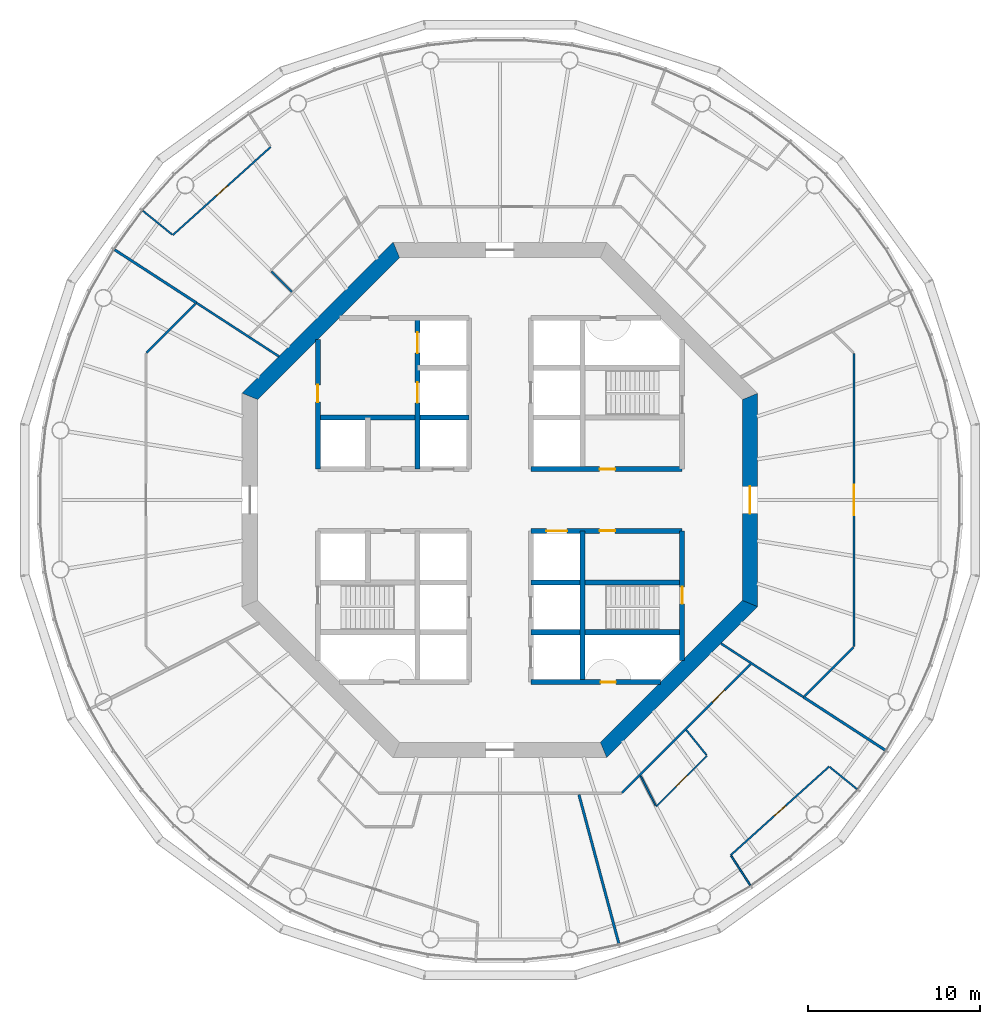
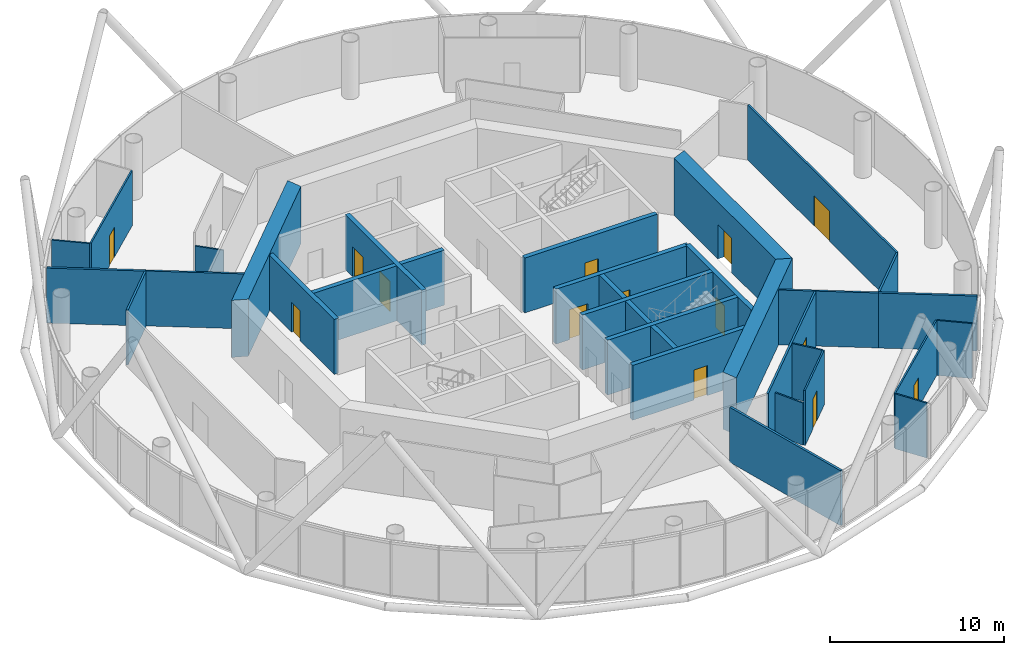
# One storey, part 4 of 13: 31 walls, 14 doors, 14 openings.
"""IFC4 building model written with IfcOpenShell, lengths in metres."""

from ifc_helpers import new_model, si_unit, direction, frame, frame_2d, origin, place, context, subcontext, project, spatial, polyline, rectangle, outline, extrude, material, layer, layer_set, type_object, element, fill, save


model = new_model("IFC4")

# Units and contexts
model_context = context("Model", 3, precision=1e-05, world=origin(), true_north=direction((0.0, 1.0)))
body_context = subcontext(model_context, "Body", "Model", "MODEL_VIEW")
ifc_project = project(units=[si_unit("LENGTHUNIT", "METRE"), si_unit("AREAUNIT", "SQUARE_METRE"), si_unit("VOLUMEUNIT", "CUBIC_METRE"), si_unit("PLANEANGLEUNIT", "RADIAN"), si_unit("MASSUNIT", "GRAM", prefix="KILO")], contexts=[model_context])

# Site, building, storey
site_placement = place(None, origin())
site = spatial("IfcSite", under=ifc_project, at=site_placement, CompositionType="ELEMENT")
building_placement = place(site_placement, origin())
building = spatial("IfcBuilding", under=site, at=building_placement, Name="Entoto Ring Tower", CompositionType="ELEMENT")
storey_placement = place(building_placement, frame((0.0, 0.0, 218.0)))
storey = spatial("IfcBuildingStorey", under=building, at=storey_placement, Name="L50", CompositionType="ELEMENT", Elevation=218.0)

# Wall, opening, door
ifc_material_1 = material(Name="Concrete C40/50", Category="concrete")
ifc_layer_1 = layer(ifc_material_1, 0.300048828125)
ifc_layer_set_1 = layer_set([ifc_layer_1], Name="Concrete C40/50")
wall_type_1 = type_object("IfcWallType", Name="Core enclosure wall 300 mm reinforced concrete", PredefinedType="SOLIDWALL", material=ifc_layer_set_1)
wall_1_placement = place(storey_placement, frame((100.60009765625, 70.65966796875, 0.0), z_axis=(0.0, 0.0, 1.0), x_axis=(0.0, 1.0, 0.0)))
wall_1 = element("IfcWall", 1, at=wall_1_placement, inside=storey, type_object=wall_type_1, Name="wall-L50-001", PredefinedType="SOLIDWALL", context=body_context, shape_type="SweptSolid", body=[
    extrude(rectangle(XDim=7.540283203125, YDim=0.300048828125, at=frame_2d((3.77001953125, 0.0))), origin(), (0.0, 0.0, 1.0), 3.85009765625),
])
opening_1_placement = place(wall_1_placement, frame((3.290283203125, 0.0, 0.0)))
opening_1 = element("IfcOpeningElement", 2, at=opening_1_placement, cuts=wall_1, Name="Opening K-17", PredefinedType="OPENING", context=body_context, shape_type="SweptSolid", body=[
    extrude(rectangle(XDim=1.0, YDim=2.10009765625, at=frame_2d((0.5, 1.050048828125))), frame((0.0, 0.16015625, 0.0), z_axis=(0.0, -1.0, 0.0), x_axis=(1.0, 0.0, 0.0)), (0.0, 0.0, 1.0), 0.320068359375),
])
ifc_material_2 = material(Name="Steel door leaf, fire rated", Category="steel")
ifc_layer_2 = layer(ifc_material_2, 0.050048828125)
ifc_layer_set_2 = layer_set([ifc_layer_2], Name="Steel door leaf, fire rated")
door_type_1 = type_object("IfcDoorType", Name="Fire door FD60 1000 x 2100 single leaf", OperationType="NOTDEFINED", PredefinedType="DOOR", material=ifc_layer_set_2)
door_1_placement = place(opening_1_placement, origin())
door_1 = element("IfcDoor", 3, at=door_1_placement, inside=storey, type_object=door_type_1, Name="Door K-17", OperationType="SINGLE_SWING_RIGHT", OverallHeight=2.10009765625, OverallWidth=1.0, PredefinedType="DOOR", context=body_context, shape_type="SweptSolid", body=[
    extrude(rectangle(XDim=1.0, YDim=2.10009765625, at=frame_2d((0.5, 1.050048828125))), frame((0.0, 0.02490234375, 0.0), z_axis=(0.0, -1.0, 0.0), x_axis=(1.0, 0.0, 0.0)), (0.0, 0.0, 1.0), 0.050048828125),
])
fill(opening_1, door_1)

# Wall
wall_2_placement = place(storey_placement, frame((94.800048828125, 69.39990234375, 0.0), z_axis=(0.0, 0.0, 1.0), x_axis=(0.0, 1.0, 0.0)))
element("IfcWall", 4, at=wall_2_placement, inside=storey, type_object=wall_type_1, Name="wall-L50-003", PredefinedType="SOLIDWALL", context=body_context, shape_type="SweptSolid", body=[
    extrude(rectangle(XDim=8.800048828125, YDim=0.300048828125, at=frame_2d((4.39990234375, 0.0))), origin(), (0.0, 0.0, 1.0), 3.85009765625),
])

# Wall, openings, doors
wall_3_placement = place(storey_placement, frame((85.199951171875, 81.800048828125, 0.0), z_axis=(0.0, 0.0, 1.0), x_axis=(0.0, 1.0, 0.0)))
wall_3 = element("IfcWall", 5, at=wall_3_placement, inside=storey, type_object=wall_type_1, Name="wall-L50-010", PredefinedType="SOLIDWALL", context=body_context, shape_type="SweptSolid", body=[
    extrude(rectangle(XDim=8.800048828125, YDim=0.300048828125, at=frame_2d((4.39990234375, 0.0))), origin(), (0.0, 0.0, 1.0), 3.85009765625),
])
opening_2_placement = place(wall_3_placement, frame((3.85009765625, 0.0, 0.0)))
opening_2 = element("IfcOpeningElement", 6, at=opening_2_placement, cuts=wall_3, Name="Opening LD", PredefinedType="OPENING", context=body_context, shape_type="SweptSolid", body=[
    extrude(rectangle(XDim=1.199951171875, YDim=2.10009765625, at=frame_2d((0.60009765625, 1.050048828125))), frame((0.0, 0.16015625, 0.0), z_axis=(0.0, -1.0, 0.0), x_axis=(1.0, 0.0, 0.0)), (0.0, 0.0, 1.0), 0.320068359375),
])
opening_3_placement = place(wall_3_placement, frame((6.75, 0.0, 0.0)))
opening_3 = element("IfcOpeningElement", 7, at=opening_3_placement, cuts=wall_3, Name="Opening LD", PredefinedType="OPENING", context=body_context, shape_type="SweptSolid", body=[
    extrude(rectangle(XDim=1.199951171875, YDim=2.10009765625, at=frame_2d((0.60009765625, 1.050048828125))), frame((0.0, 0.16015625, 0.0), z_axis=(0.0, -1.0, 0.0), x_axis=(1.0, 0.0, 0.0)), (0.0, 0.0, 1.0), 0.320068359375),
])
ifc_material_3 = material(Name="Steel and glass door leaf", Category="steel")
ifc_layer_3 = layer(ifc_material_3, 0.050048828125)
ifc_layer_set_3 = layer_set([ifc_layer_3], Name="Steel and glass door leaf")
door_type_2 = type_object("IfcDoorType", Name="Landing door 1200 x 2100 sliding", OperationType="DOUBLE_DOOR_SLIDING", PredefinedType="DOOR", material=ifc_layer_set_3)
door_2_placement = place(opening_2_placement, origin())
door_2 = element("IfcDoor", 8, at=door_2_placement, inside=storey, type_object=door_type_2, Name="Landing door FF1", OperationType="SLIDING_TO_RIGHT", OverallHeight=2.10009765625, OverallWidth=1.199951171875, PredefinedType="DOOR", context=body_context, shape_type="SweptSolid", body=[
    extrude(rectangle(XDim=1.199951171875, YDim=2.10009765625, at=frame_2d((0.60009765625, 1.050048828125))), frame((0.0, 0.02490234375, 0.0), z_axis=(0.0, -1.0, 0.0), x_axis=(1.0, 0.0, 0.0)), (0.0, 0.0, 1.0), 0.050048828125),
])
fill(opening_2, door_2)
door_3_placement = place(opening_3_placement, origin())
door_3 = element("IfcDoor", 9, at=door_3_placement, inside=storey, type_object=door_type_2, Name="Landing door FF2", OperationType="SLIDING_TO_RIGHT", OverallHeight=2.10009765625, OverallWidth=1.199951171875, PredefinedType="DOOR", context=body_context, shape_type="SweptSolid", body=[
    extrude(rectangle(XDim=1.199951171875, YDim=2.10009765625, at=frame_2d((0.60009765625, 1.050048828125))), frame((0.0, 0.02490234375, 0.0), z_axis=(0.0, -1.0, 0.0), x_axis=(1.0, 0.0, 0.0)), (0.0, 0.0, 1.0), 0.050048828125),
])
fill(opening_3, door_3)

# Wall, opening, door
wall_4_placement = place(storey_placement, frame((79.39990234375, 81.800048828125, 0.0), z_axis=(0.0, 0.0, 1.0), x_axis=(0.0, 1.0, 0.0)))
wall_4 = element("IfcWall", 10, at=wall_4_placement, inside=storey, type_object=wall_type_1, Name="wall-L50-014", PredefinedType="SOLIDWALL", context=body_context, shape_type="SweptSolid", body=[
    extrude(rectangle(XDim=7.540283203125, YDim=0.300048828125, at=frame_2d((3.77001953125, 0.0))), origin(), (0.0, 0.0, 1.0), 3.85009765625),
])
opening_4_placement = place(wall_4_placement, frame((3.89990234375, 0.0, 0.0)))
opening_4 = element("IfcOpeningElement", 11, at=opening_4_placement, cuts=wall_4, Name="Opening K-67", PredefinedType="OPENING", context=body_context, shape_type="SweptSolid", body=[
    extrude(rectangle(XDim=1.0, YDim=2.10009765625, at=frame_2d((0.5, 1.050048828125))), frame((0.0, 0.16015625, 0.0), z_axis=(0.0, -1.0, 0.0), x_axis=(1.0, 0.0, 0.0)), (0.0, 0.0, 1.0), 0.320068359375),
])
door_4_placement = place(opening_4_placement, frame((1.0, 0.0, 0.0), z_axis=(0.0, 0.0, 1.0), x_axis=(-1.0, 0.0, 0.0)))
door_4 = element("IfcDoor", 12, at=door_4_placement, inside=storey, type_object=door_type_1, Name="Door K-67", OperationType="SINGLE_SWING_RIGHT", OverallHeight=2.10009765625, OverallWidth=1.0, PredefinedType="DOOR", context=body_context, shape_type="SweptSolid", body=[
    extrude(rectangle(XDim=1.0, YDim=2.10009765625, at=frame_2d((0.5, 1.050048828125))), frame((0.0, 0.02490234375, 0.0), z_axis=(0.0, -1.0, 0.0), x_axis=(1.0, 0.0, 0.0)), (0.0, 0.0, 1.0), 0.050048828125),
])
fill(opening_4, door_4)

wall_5_placement = place(storey_placement, frame((91.800048828125, 69.39990234375, 0.0), z_axis=(0.0, 0.0, 1.0), x_axis=(1.0, 0.0, 0.0)))
wall_5 = element("IfcWall", 13, at=wall_5_placement, inside=storey, type_object=wall_type_1, Name="wall-L50-016", PredefinedType="SOLIDWALL", context=body_context, shape_type="SweptSolid", body=[
    extrude(rectangle(XDim=7.540283203125, YDim=0.300048828125, at=frame_2d((3.77001953125, 0.0))), origin(), (0.0, 0.0, 1.0), 3.85009765625),
])
opening_5_placement = place(wall_5_placement, frame((4.050048828125, 0.0, 0.0)))
opening_5 = element("IfcOpeningElement", 14, at=opening_5_placement, cuts=wall_5, Name="Opening K-20", PredefinedType="OPENING", context=body_context, shape_type="SweptSolid", body=[
    extrude(rectangle(XDim=0.89990234375, YDim=2.10009765625, at=frame_2d((0.449951171875, 1.050048828125))), frame((0.0, 0.16015625, 0.0), z_axis=(0.0, -1.0, 0.0), x_axis=(1.0, 0.0, 0.0)), (0.0, 0.0, 1.0), 0.320068359375),
])
ifc_material_4 = material(Name="Steel door leaf, fire rated", Category="steel")
ifc_layer_4 = layer(ifc_material_4, 0.050048828125)
ifc_layer_set_4 = layer_set([ifc_layer_4], Name="Steel door leaf, fire rated")
door_type_3 = type_object("IfcDoorType", Name="Riser door FD60 900 x 2100 single leaf", OperationType="NOTDEFINED", PredefinedType="DOOR", material=ifc_layer_set_4)
door_5_placement = place(opening_5_placement, origin())
door_5 = element("IfcDoor", 15, at=door_5_placement, inside=storey, type_object=door_type_3, Name="Door K-20", OperationType="SINGLE_SWING_LEFT", OverallHeight=2.10009765625, OverallWidth=0.89990234375, PredefinedType="DOOR", context=body_context, shape_type="SweptSolid", body=[
    extrude(rectangle(XDim=0.89990234375, YDim=2.10009765625, at=frame_2d((0.449951171875, 1.050048828125))), frame((0.0, 0.02490234375, 0.0), z_axis=(0.0, -1.0, 0.0), x_axis=(1.0, 0.0, 0.0)), (0.0, 0.0, 1.0), 0.050048828125),
])
fill(opening_5, door_5)

# Walls
for number, where, z_axis, x_axis, name in (
    (16, (91.800048828125, 72.300048828125, 0.0), (0.0, 0.0, 1.0), (1.0, 0.0, 0.0), "wall-L50-018"),
    (17, (91.800048828125, 75.199951171875, 0.0), (0.0, 0.0, 1.0), (1.0, 0.0, 0.0), "wall-L50-020"),
):
    element("IfcWall", number, at=place(storey_placement, frame(where, z_axis=z_axis, x_axis=x_axis)), inside=storey, type_object=wall_type_1, Name=name, PredefinedType="SOLIDWALL", context=body_context, shape_type="SweptSolid", body=[
        extrude(rectangle(XDim=8.800048828125, YDim=0.300048828125, at=frame_2d((4.39990234375, 0.0))), origin(), (0.0, 0.0, 1.0), 3.85009765625),
    ])

# Wall, openings, doors
wall_6_placement = place(storey_placement, frame((91.800048828125, 78.199951171875, 0.0), z_axis=(0.0, 0.0, 1.0), x_axis=(1.0, 0.0, 0.0)))
wall_6 = element("IfcWall", 18, at=wall_6_placement, inside=storey, type_object=wall_type_1, Name="wall-L50-022", PredefinedType="SOLIDWALL", context=body_context, shape_type="SweptSolid", body=[
    extrude(rectangle(XDim=8.800048828125, YDim=0.300048828125, at=frame_2d((4.39990234375, 0.0))), origin(), (0.0, 0.0, 1.0), 3.85009765625),
])
opening_6_placement = place(wall_6_placement, frame((0.89990234375, 0.0, 0.0)))
opening_6 = element("IfcOpeningElement", 19, at=opening_6_placement, cuts=wall_6, Name="Opening LD", PredefinedType="OPENING", context=body_context, shape_type="SweptSolid", body=[
    extrude(rectangle(XDim=1.199951171875, YDim=2.10009765625, at=frame_2d((0.60009765625, 1.050048828125))), frame((0.0, 0.16015625, 0.0), z_axis=(0.0, -1.0, 0.0), x_axis=(1.0, 0.0, 0.0)), (0.0, 0.0, 1.0), 0.320068359375),
])
opening_7_placement = place(wall_6_placement, frame((4.0, 0.0, 0.0)))
opening_7 = element("IfcOpeningElement", 20, at=opening_7_placement, cuts=wall_6, Name="Opening K-12", PredefinedType="OPENING", context=body_context, shape_type="SweptSolid", body=[
    extrude(rectangle(XDim=0.89990234375, YDim=2.10009765625, at=frame_2d((0.449951171875, 1.050048828125))), frame((0.0, 0.16015625, 0.0), z_axis=(0.0, -1.0, 0.0), x_axis=(1.0, 0.0, 0.0)), (0.0, 0.0, 1.0), 0.320068359375),
])
ifc_material_5 = material(Name="Steel door leaf, fire rated", Category="steel")
ifc_layer_5 = layer(ifc_material_5, 0.050048828125)
ifc_layer_set_5 = layer_set([ifc_layer_5], Name="Steel door leaf, fire rated")
door_type_4 = type_object("IfcDoorType", Name="Core door 900 x 2100 single leaf", OperationType="NOTDEFINED", PredefinedType="DOOR", material=ifc_layer_set_5)
door_6_placement = place(opening_7_placement, frame((0.89990234375, 0.0, 0.0), z_axis=(0.0, 0.0, 1.0), x_axis=(-1.0, 0.0, 0.0)))
door_6 = element("IfcDoor", 21, at=door_6_placement, inside=storey, type_object=door_type_4, Name="Door K-12", OperationType="SINGLE_SWING_RIGHT", OverallHeight=2.10009765625, OverallWidth=0.89990234375, PredefinedType="DOOR", context=body_context, shape_type="SweptSolid", body=[
    extrude(rectangle(XDim=0.89990234375, YDim=2.10009765625, at=frame_2d((0.449951171875, 1.050048828125))), frame((0.0, 0.02490234375, 0.0), z_axis=(0.0, -1.0, 0.0), x_axis=(1.0, 0.0, 0.0)), (0.0, 0.0, 1.0), 0.050048828125),
])
fill(opening_7, door_6)
door_7_placement = place(opening_6_placement, origin())
door_7 = element("IfcDoor", 22, at=door_7_placement, inside=storey, type_object=door_type_2, Name="Landing door LB6-MR", OperationType="SLIDING_TO_LEFT", OverallHeight=2.10009765625, OverallWidth=1.199951171875, PredefinedType="DOOR", context=body_context, shape_type="SweptSolid", body=[
    extrude(rectangle(XDim=1.199951171875, YDim=2.10009765625, at=frame_2d((0.60009765625, 1.050048828125))), frame((0.0, 0.02490234375, 0.0), z_axis=(0.0, -1.0, 0.0), x_axis=(1.0, 0.0, 0.0)), (0.0, 0.0, 1.0), 0.050048828125),
])
fill(opening_6, door_7)

# Wall, opening, door
wall_7_placement = place(storey_placement, frame((91.800048828125, 81.800048828125, 0.0), z_axis=(0.0, 0.0, 1.0), x_axis=(1.0, 0.0, 0.0)))
wall_7 = element("IfcWall", 23, at=wall_7_placement, inside=storey, type_object=wall_type_1, Name="wall-L50-024", PredefinedType="SOLIDWALL", context=body_context, shape_type="SweptSolid", body=[
    extrude(rectangle(XDim=8.800048828125, YDim=0.300048828125, at=frame_2d((4.39990234375, 0.0))), origin(), (0.0, 0.0, 1.0), 3.85009765625),
])
opening_8_placement = place(wall_7_placement, frame((4.0, 0.0, 0.0)))
opening_8 = element("IfcOpeningElement", 24, at=opening_8_placement, cuts=wall_7, Name="Opening K-11", PredefinedType="OPENING", context=body_context, shape_type="SweptSolid", body=[
    extrude(rectangle(XDim=0.89990234375, YDim=2.10009765625, at=frame_2d((0.449951171875, 1.050048828125))), frame((0.0, 0.16015625, 0.0), z_axis=(0.0, -1.0, 0.0), x_axis=(1.0, 0.0, 0.0)), (0.0, 0.0, 1.0), 0.320068359375),
])
door_8_placement = place(opening_8_placement, origin())
door_8 = element("IfcDoor", 25, at=door_8_placement, inside=storey, type_object=door_type_4, Name="Door K-11", OperationType="SINGLE_SWING_LEFT", OverallHeight=2.10009765625, OverallWidth=0.89990234375, PredefinedType="DOOR", context=body_context, shape_type="SweptSolid", body=[
    extrude(rectangle(XDim=0.89990234375, YDim=2.10009765625, at=frame_2d((0.449951171875, 1.050048828125))), frame((0.0, 0.02490234375, 0.0), z_axis=(0.0, -1.0, 0.0), x_axis=(1.0, 0.0, 0.0)), (0.0, 0.0, 1.0), 0.050048828125),
])
fill(opening_8, door_8)

# Wall
wall_8_placement = place(storey_placement, frame((79.39990234375, 84.800048828125, 0.0), z_axis=(0.0, 0.0, 1.0), x_axis=(1.0, 0.0, 0.0)))
element("IfcWall", 26, at=wall_8_placement, inside=storey, type_object=wall_type_1, Name="wall-L50-025", PredefinedType="SOLIDWALL", context=body_context, shape_type="SweptSolid", body=[
    extrude(rectangle(XDim=8.800048828125, YDim=0.300048828125, at=frame_2d((4.39990234375, 0.0))), origin(), (0.0, 0.0, 1.0), 3.85009765625),
])

# Wall, opening, door
ifc_material_6 = material(Name="Concrete C50/60", Category="concrete")
ifc_layer_6 = layer(ifc_material_6, 0.89990234375)
ifc_layer_set_6 = layer_set([ifc_layer_6], Name="Concrete C50/60")
wall_type_2 = type_object("IfcWallType", Name="Core shear wall 900 mm reinforced concrete C50/60", PredefinedType="SHEAR", material=ifc_layer_set_6)
wall_9_placement = place(storey_placement, frame((104.550048828125, 73.97314453125, 0.0), z_axis=(0.0, 0.0, 1.0), x_axis=(0.0, 1.0, 0.0)))
wall_9 = element("IfcWall", 27, at=wall_9_placement, inside=storey, type_object=wall_type_2, Name="wall-L50-core-0", PredefinedType="SHEAR", context=body_context, shape_type="SweptSolid", body=[
    extrude(outline(polyline([(-0.186279296875, -0.449951171875), (12.239990234375, -0.449951171875), (11.867431640625, 0.449951171875), (0.186279296875, 0.449951171875), (-0.186279296875, -0.449951171875)])), origin(), (0.0, 0.0, 1.0), 4.0),
])
opening_9_placement = place(wall_9_placement, frame((5.226806640625, 0.0, 0.0)))
opening_9 = element("IfcOpeningElement", 28, at=opening_9_placement, cuts=wall_9, Name="Opening K-01", PredefinedType="OPENING", context=body_context, shape_type="SweptSolid", body=[
    extrude(rectangle(XDim=1.60009765625, YDim=2.39990234375, at=frame_2d((0.800048828125, 1.199951171875))), frame((0.0, 0.4599609375, 0.0), z_axis=(0.0, -1.0, 0.0), x_axis=(1.0, 0.0, 0.0)), (0.0, 0.0, 1.0), 0.919921875),
])
ifc_material_7 = material(Name="Steel door leaf, fire rated", Category="steel")
ifc_layer_7 = layer(ifc_material_7, 0.050048828125)
ifc_layer_set_7 = layer_set([ifc_layer_7], Name="Steel door leaf, fire rated")
door_type_5 = type_object("IfcDoorType", Name="Entrance door FD60 1600 x 2400 double leaf", OperationType="DOUBLE_DOOR_SINGLE_SWING", PredefinedType="DOOR", material=ifc_layer_set_7)
door_9_placement = place(opening_9_placement, origin())
door_9 = element("IfcDoor", 29, at=door_9_placement, inside=storey, type_object=door_type_5, Name="Entrance door K-01", OperationType="DOUBLE_DOOR_SINGLE_SWING", OverallHeight=2.39990234375, OverallWidth=1.60009765625, PredefinedType="DOOR", context=body_context, shape_type="SweptSolid", body=[
    extrude(rectangle(XDim=1.60009765625, YDim=2.39990234375, at=frame_2d((0.800048828125, 1.199951171875))), frame((0.0, 0.02490234375, 0.0), z_axis=(0.0, -1.0, 0.0), x_axis=(1.0, 0.0, 0.0)), (0.0, 0.0, 1.0), 0.050048828125),
])
fill(opening_9, door_9)

# Walls
for number, where, z_axis, x_axis, name in (
    (30, (83.97314453125, 94.550048828125, 0.0), (0.0, 0.0, 1.0), (-0.707106781187, -0.707106781187, 0.0), "wall-L50-core-3"),
    (31, (96.02685546875, 65.449951171875, 0.0), (0.0, 0.0, 1.0), (0.707106781187, 0.707106781187, 0.0), "wall-L50-core-7"),
):
    element("IfcWall", number, at=place(storey_placement, frame(where, z_axis=z_axis, x_axis=x_axis)), inside=storey, type_object=wall_type_2, Name=name, PredefinedType="SHEAR", context=body_context, shape_type="SweptSolid", body=[
        extrude(outline(polyline([(-0.186279296875, -0.449951171875), (12.239990234375, -0.449951171875), (11.867431640625, 0.449951171875), (0.186279296875, 0.449951171875), (-0.186279296875, -0.449951171875)])), origin(), (0.0, 0.0, 1.0), 4.0),
    ])

# Wall, opening, door
ifc_material_8 = material(Name="Fire-resisting plasterboard on steel studs", Category="steel")
ifc_layer_8 = layer(ifc_material_8, 0.125)
ifc_layer_set_8 = layer_set([ifc_layer_8], Name="Fire-resisting plasterboard on steel studs")
wall_type_3 = type_object("IfcWallType", Name="Corridor wall 125 mm one-hour plasterboard on steel studs", PredefinedType="PARTITIONING", material=ifc_layer_set_8)
wall_10_placement = place(storey_placement, frame((110.60009765625, 71.46728515625, 0.0), z_axis=(0.0, 0.0, 1.0), x_axis=(0.0, 1.0, 0.0)))
wall_10 = element("IfcWall", 32, at=wall_10_placement, inside=storey, type_object=wall_type_3, Name="partition-L50-002", PredefinedType="PARTITIONING", context=body_context, shape_type="SweptSolid", body=[
    extrude(rectangle(XDim=17.0654296875, YDim=0.125, at=frame_2d((8.53271484375, 0.0))), origin(), (0.0, 0.0, 1.0), 3.85009765625),
])
opening_10_placement = place(wall_10_placement, frame((7.6328125, 0.0, 0.0)))
opening_10 = element("IfcOpeningElement", 33, at=opening_10_placement, cuts=wall_10, Name="Opening A22-D01", PredefinedType="OPENING", context=body_context, shape_type="SweptSolid", body=[
    extrude(rectangle(XDim=1.800048828125, YDim=2.10009765625, at=frame_2d((0.89990234375, 1.050048828125))), frame((0.0, 0.072509765625, 0.0), z_axis=(0.0, -1.0, 0.0), x_axis=(1.0, 0.0, 0.0)), (0.0, 0.0, 1.0), 0.14501953125),
])
ifc_material_9 = material(Name="Fire-resisting timber door set", Category="wood")
door_type_6 = type_object("IfcDoorType", Name="Door 1800 x 2100 double leaf FD30S fire door", OperationType="DOUBLE_DOOR_SINGLE_SWING", PredefinedType="DOOR", material=ifc_material_9)
door_10_placement = place(opening_10_placement, frame((1.800048828125, 0.0, 0.0), z_axis=(0.0, 0.0, 1.0), x_axis=(-1.0, 0.0, 0.0)))
door_10 = element("IfcDoor", 34, at=door_10_placement, inside=storey, type_object=door_type_6, Name="Door A22-D01", OperationType="DOUBLE_DOOR_SINGLE_SWING", OverallHeight=2.10009765625, OverallWidth=1.800048828125, PredefinedType="DOOR", context=body_context, shape_type="SweptSolid", body=[
    extrude(rectangle(XDim=1.800048828125, YDim=2.10009765625, at=frame_2d((0.89990234375, 1.050048828125))), frame((0.0, 0.02490234375, 0.0), z_axis=(0.0, -1.0, 0.0), x_axis=(1.0, 0.0, 0.0)), (0.0, 0.0, 1.0), 0.050048828125),
])
fill(opening_10, door_10)

wall_11_placement = place(storey_placement, frame((97.0986328125, 62.968505859375, 0.0), z_axis=(0.0, 0.0, 1.0), x_axis=(0.707095235926, 0.707118326258, 0.0)))
wall_11 = element("IfcWall", 35, at=wall_11_placement, inside=storey, type_object=wall_type_3, Name="partition-L50-008", PredefinedType="PARTITIONING", context=body_context, shape_type="SweptSolid", body=[
    extrude(rectangle(XDim=10.5732421875, YDim=0.125, at=frame_2d((5.28662109375, 0.0))), origin(), (0.0, 0.0, 1.0), 3.85009765625),
])
opening_11_placement = place(wall_11_placement, frame((7.440185546875, 0.0, 0.0)))
opening_11 = element("IfcOpeningElement", 36, at=opening_11_placement, cuts=wall_11, Name="Opening A22-D14", PredefinedType="OPENING", context=body_context, shape_type="SweptSolid", body=[
    extrude(rectangle(XDim=1.0, YDim=2.10009765625, at=frame_2d((0.5, 1.050048828125))), frame((0.0, 0.072509765625, 0.0), z_axis=(0.0, -1.0, 0.0), x_axis=(1.0, 0.0, 0.0)), (0.0, 0.0, 1.0), 0.14501953125),
])
ifc_material_10 = material(Name="Fire-resisting timber door set", Category="wood")
door_type_7 = type_object("IfcDoorType", Name="Door 1000 x 2100 single leaf FD30S fire door", OperationType="NOTDEFINED", PredefinedType="DOOR", material=ifc_material_10)
door_11_placement = place(opening_11_placement, frame((1.0, 0.0, 0.0), z_axis=(0.0, 0.0, 1.0), x_axis=(-1.0, 0.0, 0.0)))
door_11 = element("IfcDoor", 37, at=door_11_placement, inside=storey, type_object=door_type_7, Name="Door A22-D14", OperationType="SINGLE_SWING_RIGHT", OverallHeight=2.10009765625, OverallWidth=1.0, PredefinedType="DOOR", context=body_context, shape_type="SweptSolid", body=[
    extrude(rectangle(XDim=1.0, YDim=2.10009765625, at=frame_2d((0.5, 1.050048828125))), frame((0.0, 0.02490234375, 0.0), z_axis=(0.0, -1.0, 0.0), x_axis=(1.0, 0.0, 0.0)), (0.0, 0.0, 1.0), 0.050048828125),
])
fill(opening_11, door_11)

# Walls
for number, where, z_axis, x_axis, name in (
    (38, (107.66259765625, 68.52978515625, 0.0), (0.0, 0.0, 1.0), (-0.838668603263, 0.544642060349, 0.0), "partition-L50-011"),
    (39, (77.138916015625, 88.35205078125, 0.0), (0.0, 0.0, 1.0), (-0.838668603263, 0.544642060349, 0.0), "partition-L50-012"),
):
    element("IfcWall", number, at=place(storey_placement, frame(where, z_axis=z_axis, x_axis=x_axis)), inside=storey, type_object=wall_type_3, Name=name, PredefinedType="PARTITIONING", context=body_context, shape_type="SweptSolid", body=[
        extrude(rectangle(XDim=5.72509765625, YDim=0.125, at=frame_2d((2.862548828125, 0.0))), origin(), (0.0, 0.0, 1.0), 3.85009765625),
    ])
for number, where, z_axis, x_axis, name in (
    (40, (69.43115234375, 88.56396484375, 0.0), (0.0, 0.0, 1.0), (0.707106781187, 0.707106781187, 0.0), "partition-L50-013"),
    (41, (107.72607421875, 68.59326171875, 0.0), (0.0, 0.0, 1.0), (0.707106781187, 0.707106781187, 0.0), "partition-L50-014"),
):
    element("IfcWall", number, at=place(storey_placement, frame(where, z_axis=z_axis, x_axis=x_axis)), inside=storey, type_object=wall_type_3, Name=name, PredefinedType="PARTITIONING", context=body_context, shape_type="SweptSolid", body=[
        extrude(rectangle(XDim=4.020263671875, YDim=0.125, at=frame_2d((2.01025390625, 0.0))), origin(), (0.0, 0.0, 1.0), 3.85009765625),
    ])

# Wall, opening, door
ifc_material_11 = material(Name="Plasterboard on steel studs", Category="steel")
ifc_layer_9 = layer(ifc_material_11, 0.10009765625)
ifc_layer_set_9 = layer_set([ifc_layer_9], Name="Plasterboard on steel studs")
wall_type_4 = type_object("IfcWallType", Name="Partition 100 mm plasterboard on steel studs", PredefinedType="PARTITIONING", material=ifc_layer_set_9)
wall_12_placement = place(storey_placement, frame((103.42529296875, 59.326904296875, 0.0), z_axis=(0.0, 0.0, 1.0), x_axis=(0.743144588405, 0.669130869654, 0.0)))
wall_12 = element("IfcWall", 42, at=wall_12_placement, inside=storey, type_object=wall_type_4, Name="partition-L50-025", PredefinedType="PARTITIONING", context=body_context, shape_type="SweptSolid", body=[
    extrude(rectangle(XDim=7.712158203125, YDim=0.10009765625, at=frame_2d((3.85595703125, 0.0))), origin(), (0.0, 0.0, 1.0), 3.85009765625),
])
opening_12_placement = place(wall_12_placement, frame((3.406005859375, 0.0, 0.0)))
opening_12 = element("IfcOpeningElement", 43, at=opening_12_placement, cuts=wall_12, Name="Opening A22-D16", PredefinedType="OPENING", context=body_context, shape_type="SweptSolid", body=[
    extrude(rectangle(XDim=0.89990234375, YDim=2.10009765625, at=frame_2d((0.449951171875, 1.050048828125))), frame((0.0, 0.06005859375, 0.0), z_axis=(0.0, -1.0, 0.0), x_axis=(1.0, 0.0, 0.0)), (0.0, 0.0, 1.0), 0.1201171875),
])
ifc_material_12 = material(Name="Veneered timber door leaf in timber frame", Category="wood")
door_type_8 = type_object("IfcDoorType", Name="Door 900 x 2100 single leaf timber veneer", OperationType="NOTDEFINED", PredefinedType="DOOR", material=ifc_material_12)
door_12_placement = place(opening_12_placement, frame((0.89990234375, 0.0, 0.0), z_axis=(0.0, 0.0, 1.0), x_axis=(-1.0, 0.0, 0.0)))
door_12 = element("IfcDoor", 44, at=door_12_placement, inside=storey, type_object=door_type_8, Name="Door A22-D16", OperationType="SINGLE_SWING_LEFT", OverallHeight=2.10009765625, OverallWidth=0.89990234375, PredefinedType="DOOR", context=body_context, shape_type="SweptSolid", body=[
    extrude(rectangle(XDim=0.89990234375, YDim=2.10009765625, at=frame_2d((0.449951171875, 1.050048828125))), frame((0.0, 0.02490234375, 0.0), z_axis=(0.0, -1.0, 0.0), x_axis=(1.0, 0.0, 0.0)), (0.0, 0.0, 1.0), 0.050048828125),
])
fill(opening_12, door_12)

wall_13_placement = place(storey_placement, frame((70.9599609375, 95.41845703125, 0.0), z_axis=(0.0, 0.0, 1.0), x_axis=(0.743148423314, 0.669126610534, 0.0)))
wall_13 = element("IfcWall", 45, at=wall_13_placement, inside=storey, type_object=wall_type_4, Name="partition-L50-026", PredefinedType="PARTITIONING", context=body_context, shape_type="SweptSolid", body=[
    extrude(rectangle(XDim=7.6650390625, YDim=0.10009765625, at=frame_2d((3.83251953125, 0.0))), origin(), (0.0, 0.0, 1.0), 3.85009765625),
])
opening_13_placement = place(wall_13_placement, frame((3.382568359375, 0.0, 0.0)))
opening_13 = element("IfcOpeningElement", 46, at=opening_13_placement, cuts=wall_13, Name="Opening A22-D09", PredefinedType="OPENING", context=body_context, shape_type="SweptSolid", body=[
    extrude(rectangle(XDim=0.89990234375, YDim=2.10009765625, at=frame_2d((0.449951171875, 1.050048828125))), frame((0.0, 0.06005859375, 0.0), z_axis=(0.0, -1.0, 0.0), x_axis=(1.0, 0.0, 0.0)), (0.0, 0.0, 1.0), 0.1201171875),
])
door_13_placement = place(opening_13_placement, origin())
door_13 = element("IfcDoor", 47, at=door_13_placement, inside=storey, type_object=door_type_8, Name="Door A22-D09", OperationType="SINGLE_SWING_LEFT", OverallHeight=2.10009765625, OverallWidth=0.89990234375, PredefinedType="DOOR", context=body_context, shape_type="SweptSolid", body=[
    extrude(rectangle(XDim=0.89990234375, YDim=2.10009765625, at=frame_2d((0.449951171875, 1.050048828125))), frame((0.0, 0.02490234375, 0.0), z_axis=(0.0, -1.0, 0.0), x_axis=(1.0, 0.0, 0.0)), (0.0, 0.0, 1.0), 0.050048828125),
])
fill(opening_13, door_13)

wall_14_placement = place(storey_placement, frame((99.090087890625, 62.159912109375, 0.0), z_axis=(0.0, 0.0, 1.0), x_axis=(0.707106781187, 0.707106781187, 0.0)))
wall_14 = element("IfcWall", 48, at=wall_14_placement, inside=storey, type_object=wall_type_4, Name="partition-L50-029", PredefinedType="PARTITIONING", context=body_context, shape_type="SweptSolid", body=[
    extrude(rectangle(XDim=4.185791015625, YDim=0.10009765625, at=frame_2d((2.0927734375, 0.0))), origin(), (0.0, 0.0, 1.0), 3.85009765625),
])
opening_14_placement = place(wall_14_placement, frame((1.642822265625, 0.0, 0.0)))
opening_14 = element("IfcOpeningElement", 49, at=opening_14_placement, cuts=wall_14, Name="Opening A22-D15", PredefinedType="OPENING", context=body_context, shape_type="SweptSolid", body=[
    extrude(rectangle(XDim=0.89990234375, YDim=2.10009765625, at=frame_2d((0.449951171875, 1.050048828125))), frame((0.0, 0.06005859375, 0.0), z_axis=(0.0, -1.0, 0.0), x_axis=(1.0, 0.0, 0.0)), (0.0, 0.0, 1.0), 0.1201171875),
])
door_14_placement = place(opening_14_placement, origin())
door_14 = element("IfcDoor", 50, at=door_14_placement, inside=storey, type_object=door_type_8, Name="Door A22-D15", OperationType="SINGLE_SWING_LEFT", OverallHeight=2.10009765625, OverallWidth=0.89990234375, PredefinedType="DOOR", context=body_context, shape_type="SweptSolid", body=[
    extrude(rectangle(XDim=0.89990234375, YDim=2.10009765625, at=frame_2d((0.449951171875, 1.050048828125))), frame((0.0, 0.02490234375, 0.0), z_axis=(0.0, -1.0, 0.0), x_axis=(1.0, 0.0, 0.0)), (0.0, 0.0, 1.0), 0.050048828125),
])
fill(opening_14, door_14)

# Walls
wall_15_placement = place(storey_placement, frame((70.921630859375, 95.449462890625, 0.0), z_axis=(0.0, 0.0, 1.0), x_axis=(-0.77722410775, 0.629223876162, 0.0)))
element("IfcWall", 51, at=wall_15_placement, inside=storey, type_object=wall_type_4, Name="partition-L50-033", PredefinedType="PARTITIONING", context=body_context, shape_type="SweptSolid", body=[
    extrude(rectangle(XDim=2.190673828125, YDim=0.10009765625, at=frame_2d((1.09521484375, 0.0))), origin(), (0.0, 0.0, 1.0), 3.85009765625),
])
for number, where, z_axis, x_axis, name in (
    (52, (104.563720703125, 57.573974609375, 0.0), (0.0, 0.0, 1.0), (-0.544693962509, 0.838634895056, 0.0), "partition-L50-036"),
    (53, (110.781005859375, 63.172119140625, 0.0), (0.0, 0.0, 1.0), (-0.777166854362, 0.629294589585, 0.0), "partition-L50-037"),
):
    element("IfcWall", number, at=place(storey_placement, frame(where, z_axis=z_axis, x_axis=x_axis)), inside=storey, type_object=wall_type_4, Name=name, PredefinedType="PARTITIONING", context=body_context, shape_type="SweptSolid", body=[
        extrude(rectangle(XDim=2.040771484375, YDim=0.10009765625, at=frame_2d((1.0205078125, 0.0))), origin(), (0.0, 0.0, 1.0), 3.85009765625),
    ])
wall_16_placement = place(storey_placement, frame((102.0185546875, 65.158203125, 0.0), z_axis=(0.0, 0.0, 1.0), x_axis=(-0.629261966188, 0.777193269341, 0.0)))
element("IfcWall", 54, at=wall_16_placement, inside=storey, type_object=wall_type_4, Name="partition-L50-043", PredefinedType="PARTITIONING", context=body_context, shape_type="SweptSolid", body=[
    extrude(rectangle(XDim=1.873046875, YDim=0.10009765625, at=frame_2d((0.9365234375, 0.0))), origin(), (0.0, 0.0, 1.0), 3.85009765625),
])
ifc_material_13 = material(Name="Plasterboard on steel studs", Category="steel")
ifc_layer_10 = layer(ifc_material_13, 0.10009765625)
ifc_layer_set_10 = layer_set([ifc_layer_10], Name="Plasterboard on steel studs")
wall_type_5 = type_object("IfcWallType", Name="Partition 100 mm plasterboard on steel studs, 2950 mm high", PredefinedType="PARTITIONING", material=ifc_layer_set_10)
wall_17_placement = place(storey_placement, frame((99.058837890625, 62.220947265625, 0.0), z_axis=(0.0, 0.0, 1.0), x_axis=(-0.454026133406, 0.890988367031, 0.0)))
element("IfcWall", 55, at=wall_17_placement, inside=storey, type_object=wall_type_5, Name="partition-L50-038", PredefinedType="PARTITIONING", context=body_context, shape_type="SweptSolid", body=[
    extrude(rectangle(XDim=1.931396484375, YDim=0.10009765625, at=frame_2d((0.9658203125, 0.0))), origin(), (0.0, 0.0, 1.0), 2.949951171875),
])
wall_18_placement = place(storey_placement, frame((77.890625, 92.109375, 0.0), z_axis=(0.0, 0.0, 1.0), x_axis=(-0.707106781187, 0.707106781187, 0.0)))
element("IfcWall", 56, at=wall_18_placement, inside=storey, type_object=wall_type_5, Name="partition-L50-047", PredefinedType="PARTITIONING", context=body_context, shape_type="SweptSolid", body=[
    extrude(rectangle(XDim=1.697021484375, YDim=0.10009765625, at=frame_2d((0.8486328125, 0.0))), origin(), (0.0, 0.0, 1.0), 2.949951171875),
])
ifc_material_14 = material(Name="Fire-resisting acoustic plasterboard on steel studs", Category="steel")
ifc_layer_11 = layer(ifc_material_14, 0.14990234375)
ifc_layer_set_11 = layer_set([ifc_layer_11], Name="Fire-resisting acoustic plasterboard on steel studs")
wall_type_6 = type_object("IfcWallType", Name="Party wall 150 mm one-hour acoustic plasterboard on steel studs", PredefinedType="PARTITIONING", material=ifc_layer_set_11)
wall_19_placement = place(storey_placement, frame((96.9208984375, 54.171142578125, 0.0), z_axis=(0.0, 0.0, 1.0), x_axis=(-0.258831999562, 0.965922355059, 0.0)))
element("IfcWall", 57, at=wall_19_placement, inside=storey, type_object=wall_type_6, Name="partition-L50-018", PredefinedType="PARTITIONING", context=body_context, shape_type="SweptSolid", body=[
    extrude(rectangle(XDim=8.990966796875, YDim=0.14990234375, at=frame_2d((4.49560546875, 0.0))), origin(), (0.0, 0.0, 1.0), 3.85009765625),
])
for number, where, z_axis, x_axis, name in (
    (58, (112.426025390625, 65.436279296875, 0.0), (0.0, 0.0, 1.0), (-0.838649796671, 0.544671018638, 0.0), "partition-L50-019"),
    (59, (72.33740234375, 91.47021484375, 0.0), (0.0, 0.0, 1.0), (-0.838662548381, 0.544651383862, 0.0), "partition-L50-020"),
):
    element("IfcWall", number, at=place(storey_placement, frame(where, z_axis=z_axis, x_axis=x_axis)), inside=storey, type_object=wall_type_6, Name=name, PredefinedType="PARTITIONING", context=body_context, shape_type="SweptSolid", body=[
        extrude(rectangle(XDim=5.6796875, YDim=0.14990234375, at=frame_2d((2.83984375, 0.0))), origin(), (0.0, 0.0, 1.0), 3.85009765625),
    ])

save(model, "model.ifc")
